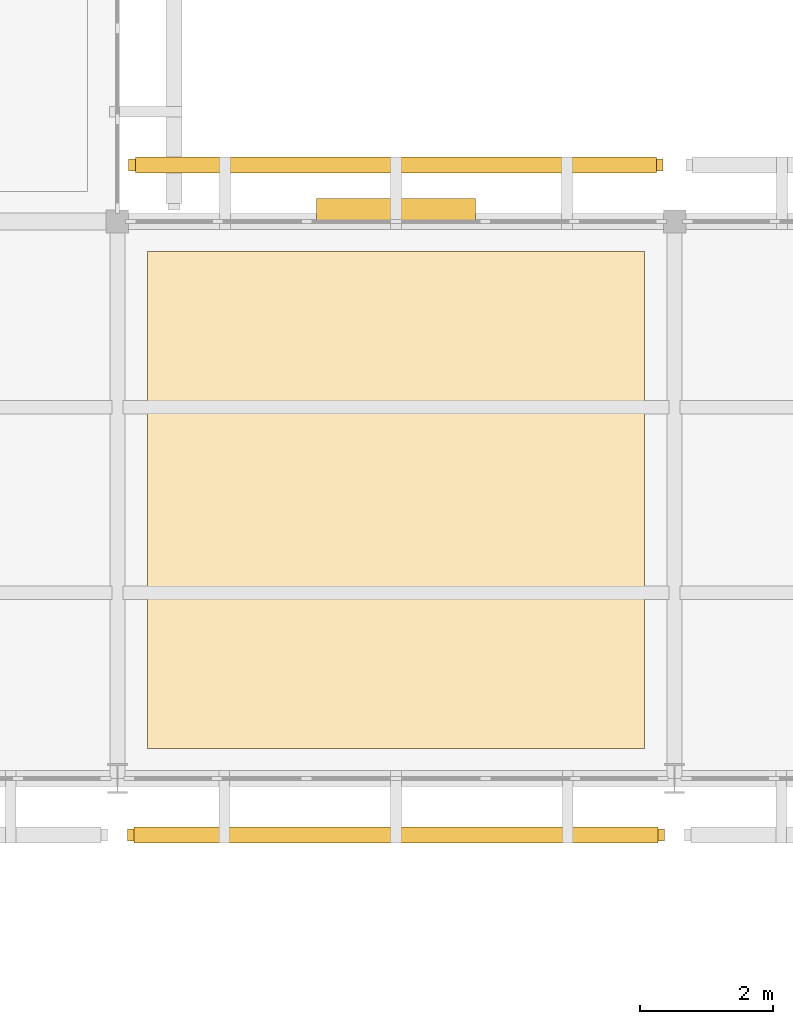
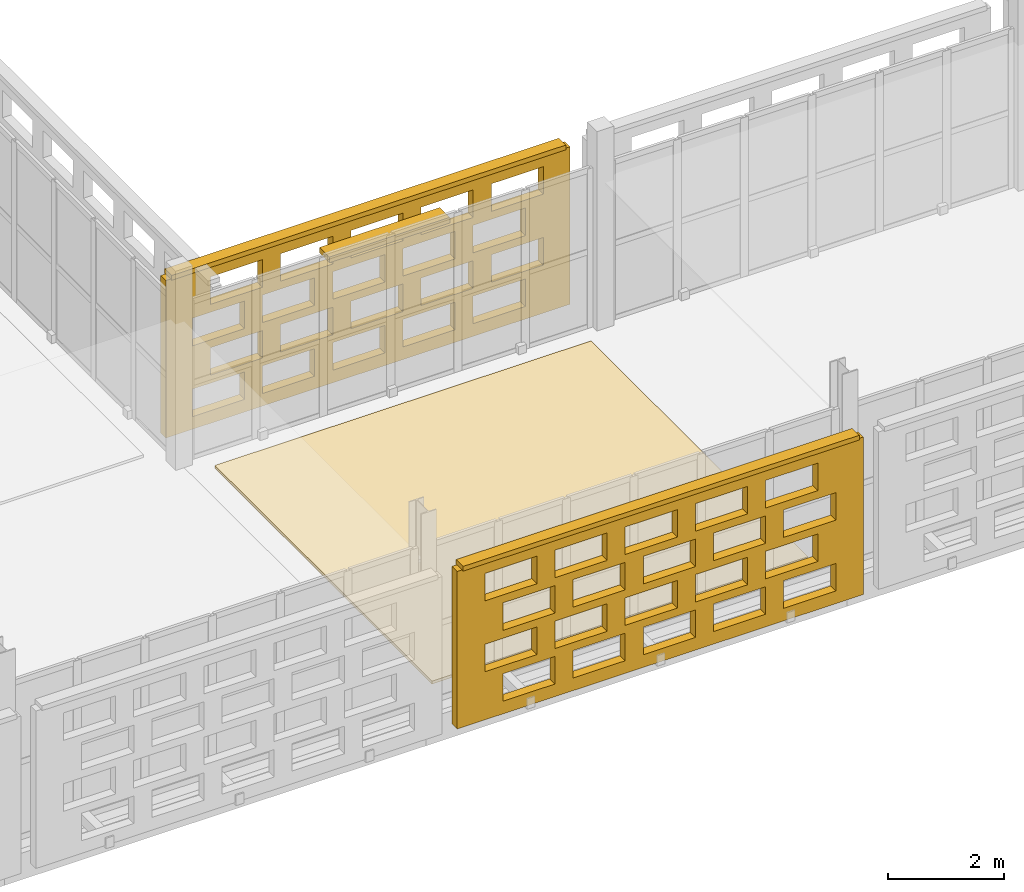
# One storey, part 119 of 140: 3 coverings, 3 shading devices, 40 openings.
"""IFC4 building model written with IfcOpenShell, lengths in metres."""

from ifc_helpers import new_model, si_unit, direction, frame, frame_2d, origin, origin_2d, place, context, subcontext, project, spatial, rectangle, extrude, material, layer, layer_set, type_object, element, save


model = new_model("IFC4")

# Units and contexts
model_context = context("Model", 3, precision=1e-05, world=origin(), true_north=direction((0.0, 1.0)))
body_context = subcontext(model_context, "Body", "Model", "MODEL_VIEW")
ifc_project = project(units=[si_unit("LENGTHUNIT", "METRE"), si_unit("AREAUNIT", "SQUARE_METRE"), si_unit("VOLUMEUNIT", "CUBIC_METRE"), si_unit("PLANEANGLEUNIT", "RADIAN"), si_unit("MASSUNIT", "GRAM", prefix="KILO")], contexts=[model_context])

# Site, building, storey
site_placement = place(None, origin())
site = spatial("IfcSite", under=ifc_project, at=site_placement, CompositionType="ELEMENT")
building_placement = place(site_placement, origin())
building = spatial("IfcBuilding", under=site, at=building_placement, Name="Varnapada Polytechnic", CompositionType="ELEMENT")
storey_placement = place(building_placement, frame((0.0, 0.0, 13.800048828125)))
storey = spatial("IfcBuildingStorey", under=building, at=storey_placement, Name="L03", CompositionType="ELEMENT", Elevation=13.800048828125)

# Covering
ifc_material_1 = material(Name="Anti-Static Raised Laboratory Flooring")
ifc_layer_1 = layer(ifc_material_1, 0.06005859375)
ifc_layer_set_1 = layer_set([ifc_layer_1], Name="Anti-Static Raised Laboratory Flooring")
covering_type_1 = type_object("IfcCoveringType", Name="Floor Finish FLR-02", PredefinedType="FLOORING", material=ifc_layer_set_1)
covering_1_placement = place(storey_placement, frame((71.39990234375, 88.199951171875, 0.0), z_axis=(0.0, 0.0, 1.0), x_axis=(1.0, 0.0, 0.0)))
element("IfcCovering", 1, at=covering_1_placement, inside=storey, type_object=covering_type_1, Name="L03 floor finish panel (9,11)", PredefinedType="FLOORING", context=body_context, shape_type="SweptSolid", body=[
    extrude(rectangle(XDim=7.5, YDim=7.5, at=origin_2d()), origin(), (0.0, 0.0, 1.0), 0.06005859375),
])

# Shading device
ifc_material_2 = material(Name="Anodised aluminium", Category="aluminium")
ifc_layer_2 = layer(ifc_material_2, 0.35009765625)
ifc_layer_set_2 = layer_set([ifc_layer_2], Name="Anodised aluminium")
shading_device_type_1 = type_object("IfcShadingDeviceType", Name="Solar Louvre LVR-01", PredefinedType="JALOUSIE", material=ifc_layer_set_2)
shading_device_1_placement = place(storey_placement, frame((71.39990234375, 92.580078125, 3.159912109375), z_axis=(0.0, 0.0, 1.0), x_axis=(1.0, 0.0, 0.0)))
element("IfcShadingDevice", 2, at=shading_device_1_placement, inside=storey, type_object=shading_device_type_1, Name="L03 aluminium sun louvre 55", PredefinedType="JALOUSIE", context=body_context, shape_type="SweptSolid", body=[
    extrude(rectangle(XDim=2.39990234375, YDim=0.340087890625, at=origin_2d()), origin(), (0.0, 0.0, 1.0), 0.1201171875),
])

# Covering, openings
ifc_material_3 = material(Name="Earth-toned architectural terracotta screen block", Category="masonry")
ifc_layer_3 = layer(ifc_material_3, 0.1201171875)
ifc_layer_set_3 = layer_set([ifc_layer_3], Name="Earth-toned architectural terracotta screen block")
covering_type_2 = type_object("IfcCoveringType", Name="Terracotta Screen Cladding CLD-01", PredefinedType="CLADDING", material=ifc_layer_set_3)
covering_2_placement = place(storey_placement, frame((75.449951171875, 83.14990234375, 0.0), z_axis=(0.0, 0.0, 1.0), x_axis=(-1.0, 0.0, 0.0)))
covering_2 = element("IfcCovering", 3, at=covering_2_placement, inside=storey, type_object=covering_type_2, Name="L03 perforated terracotta block screen (54)", PredefinedType="CLADDING", context=body_context, shape_type="SweptSolid", body=[
    extrude(rectangle(XDim=8.099853515625, YDim=0.179931640625, at=frame_2d((4.0498046875, 0.0))), origin(), (0.0, 0.0, 1.0), 3.320068359375),
])
opening_1_placement = place(covering_2_placement, frame((0.550048828125, 0.0, 0.265625)))
element("IfcOpeningElement", 4, at=opening_1_placement, cuts=covering_2, Name="Screen perforation TBS-L03-053.1", PredefinedType="OPENING", context=body_context, shape_type="SweptSolid", body=[
    extrude(rectangle(XDim=1.0400390625, YDim=0.5810546875, at=frame_2d((0.52001953125, 0.29052734375))), frame((0.0, 0.099853515625, 0.0), z_axis=(0.0, -1.0, 0.0), x_axis=(1.0, 0.0, 0.0)), (0.0, 0.0, 1.0), 0.199951171875),
])
opening_2_placement = place(covering_2_placement, frame((1.949951171875, 0.0, 0.265625)))
element("IfcOpeningElement", 5, at=opening_2_placement, cuts=covering_2, Name="Screen perforation TBS-L03-053.2", PredefinedType="OPENING", context=body_context, shape_type="SweptSolid", body=[
    extrude(rectangle(XDim=1.0400390625, YDim=0.5810546875, at=frame_2d((0.52001953125, 0.29052734375))), frame((0.0, 0.099853515625, 0.0), z_axis=(0.0, -1.0, 0.0), x_axis=(1.0, 0.0, 0.0)), (0.0, 0.0, 1.0), 0.199951171875),
])
opening_3_placement = place(covering_2_placement, frame((3.35009765625, 0.0, 0.265625)))
element("IfcOpeningElement", 6, at=opening_3_placement, cuts=covering_2, Name="Screen perforation TBS-L03-053.3", PredefinedType="OPENING", context=body_context, shape_type="SweptSolid", body=[
    extrude(rectangle(XDim=1.0400390625, YDim=0.5810546875, at=frame_2d((0.52001953125, 0.29052734375))), frame((0.0, 0.099853515625, 0.0), z_axis=(0.0, -1.0, 0.0), x_axis=(1.0, 0.0, 0.0)), (0.0, 0.0, 1.0), 0.199951171875),
])
opening_4_placement = place(covering_2_placement, frame((4.75, 0.0, 0.265625)))
element("IfcOpeningElement", 7, at=opening_4_placement, cuts=covering_2, Name="Screen perforation TBS-L03-053.4", PredefinedType="OPENING", context=body_context, shape_type="SweptSolid", body=[
    extrude(rectangle(XDim=1.0400390625, YDim=0.5810546875, at=frame_2d((0.52001953125, 0.29052734375))), frame((0.0, 0.099853515625, 0.0), z_axis=(0.0, -1.0, 0.0), x_axis=(1.0, 0.0, 0.0)), (0.0, 0.0, 1.0), 0.199951171875),
])
opening_5_placement = place(covering_2_placement, frame((6.14990234375, 0.0, 0.265625)))
element("IfcOpeningElement", 8, at=opening_5_placement, cuts=covering_2, Name="Screen perforation TBS-L03-053.5", PredefinedType="OPENING", context=body_context, shape_type="SweptSolid", body=[
    extrude(rectangle(XDim=1.0400390625, YDim=0.5810546875, at=frame_2d((0.52001953125, 0.29052734375))), frame((0.0, 0.099853515625, 0.0), z_axis=(0.0, -1.0, 0.0), x_axis=(1.0, 0.0, 0.0)), (0.0, 0.0, 1.0), 0.199951171875),
])
opening_6_placement = place(covering_2_placement, frame((0.909912109375, 0.0, 1.0126953125)))
element("IfcOpeningElement", 9, at=opening_6_placement, cuts=covering_2, Name="Screen perforation TBS-L03-053.6", PredefinedType="OPENING", context=body_context, shape_type="SweptSolid", body=[
    extrude(rectangle(XDim=1.0400390625, YDim=0.5810546875, at=frame_2d((0.52001953125, 0.29052734375))), frame((0.0, 0.099853515625, 0.0), z_axis=(0.0, -1.0, 0.0), x_axis=(1.0, 0.0, 0.0)), (0.0, 0.0, 1.0), 0.199951171875),
])
opening_7_placement = place(covering_2_placement, frame((2.31005859375, 0.0, 1.0126953125)))
element("IfcOpeningElement", 10, at=opening_7_placement, cuts=covering_2, Name="Screen perforation TBS-L03-053.7", PredefinedType="OPENING", context=body_context, shape_type="SweptSolid", body=[
    extrude(rectangle(XDim=1.0400390625, YDim=0.5810546875, at=frame_2d((0.52001953125, 0.29052734375))), frame((0.0, 0.099853515625, 0.0), z_axis=(0.0, -1.0, 0.0), x_axis=(1.0, 0.0, 0.0)), (0.0, 0.0, 1.0), 0.199951171875),
])
opening_8_placement = place(covering_2_placement, frame((3.7099609375, 0.0, 1.0126953125)))
element("IfcOpeningElement", 11, at=opening_8_placement, cuts=covering_2, Name="Screen perforation TBS-L03-053.8", PredefinedType="OPENING", context=body_context, shape_type="SweptSolid", body=[
    extrude(rectangle(XDim=1.0400390625, YDim=0.5810546875, at=frame_2d((0.52001953125, 0.29052734375))), frame((0.0, 0.099853515625, 0.0), z_axis=(0.0, -1.0, 0.0), x_axis=(1.0, 0.0, 0.0)), (0.0, 0.0, 1.0), 0.199951171875),
])
opening_9_placement = place(covering_2_placement, frame((5.110107421875, 0.0, 1.0126953125)))
element("IfcOpeningElement", 12, at=opening_9_placement, cuts=covering_2, Name="Screen perforation TBS-L03-053.9", PredefinedType="OPENING", context=body_context, shape_type="SweptSolid", body=[
    extrude(rectangle(XDim=1.0400390625, YDim=0.5810546875, at=frame_2d((0.52001953125, 0.29052734375))), frame((0.0, 0.099853515625, 0.0), z_axis=(0.0, -1.0, 0.0), x_axis=(1.0, 0.0, 0.0)), (0.0, 0.0, 1.0), 0.199951171875),
])
opening_10_placement = place(covering_2_placement, frame((6.510009765625, 0.0, 1.0126953125)))
element("IfcOpeningElement", 13, at=opening_10_placement, cuts=covering_2, Name="Screen perforation TBS-L03-053.10", PredefinedType="OPENING", context=body_context, shape_type="SweptSolid", body=[
    extrude(rectangle(XDim=1.0400390625, YDim=0.5810546875, at=frame_2d((0.52001953125, 0.29052734375))), frame((0.0, 0.099853515625, 0.0), z_axis=(0.0, -1.0, 0.0), x_axis=(1.0, 0.0, 0.0)), (0.0, 0.0, 1.0), 0.199951171875),
])
opening_11_placement = place(covering_2_placement, frame((0.550048828125, 0.0, 1.759521484375)))
element("IfcOpeningElement", 14, at=opening_11_placement, cuts=covering_2, Name="Screen perforation TBS-L03-053.11", PredefinedType="OPENING", context=body_context, shape_type="SweptSolid", body=[
    extrude(rectangle(XDim=1.0400390625, YDim=0.5810546875, at=frame_2d((0.52001953125, 0.29052734375))), frame((0.0, 0.099853515625, 0.0), z_axis=(0.0, -1.0, 0.0), x_axis=(1.0, 0.0, 0.0)), (0.0, 0.0, 1.0), 0.199951171875),
])
opening_12_placement = place(covering_2_placement, frame((1.949951171875, 0.0, 1.759521484375)))
element("IfcOpeningElement", 15, at=opening_12_placement, cuts=covering_2, Name="Screen perforation TBS-L03-053.12", PredefinedType="OPENING", context=body_context, shape_type="SweptSolid", body=[
    extrude(rectangle(XDim=1.0400390625, YDim=0.5810546875, at=frame_2d((0.52001953125, 0.29052734375))), frame((0.0, 0.099853515625, 0.0), z_axis=(0.0, -1.0, 0.0), x_axis=(1.0, 0.0, 0.0)), (0.0, 0.0, 1.0), 0.199951171875),
])
opening_13_placement = place(covering_2_placement, frame((3.35009765625, 0.0, 1.759521484375)))
element("IfcOpeningElement", 16, at=opening_13_placement, cuts=covering_2, Name="Screen perforation TBS-L03-053.13", PredefinedType="OPENING", context=body_context, shape_type="SweptSolid", body=[
    extrude(rectangle(XDim=1.0400390625, YDim=0.5810546875, at=frame_2d((0.52001953125, 0.29052734375))), frame((0.0, 0.099853515625, 0.0), z_axis=(0.0, -1.0, 0.0), x_axis=(1.0, 0.0, 0.0)), (0.0, 0.0, 1.0), 0.199951171875),
])
opening_14_placement = place(covering_2_placement, frame((4.75, 0.0, 1.759521484375)))
element("IfcOpeningElement", 17, at=opening_14_placement, cuts=covering_2, Name="Screen perforation TBS-L03-053.14", PredefinedType="OPENING", context=body_context, shape_type="SweptSolid", body=[
    extrude(rectangle(XDim=1.0400390625, YDim=0.5810546875, at=frame_2d((0.52001953125, 0.29052734375))), frame((0.0, 0.099853515625, 0.0), z_axis=(0.0, -1.0, 0.0), x_axis=(1.0, 0.0, 0.0)), (0.0, 0.0, 1.0), 0.199951171875),
])
opening_15_placement = place(covering_2_placement, frame((6.14990234375, 0.0, 1.759521484375)))
element("IfcOpeningElement", 18, at=opening_15_placement, cuts=covering_2, Name="Screen perforation TBS-L03-053.15", PredefinedType="OPENING", context=body_context, shape_type="SweptSolid", body=[
    extrude(rectangle(XDim=1.0400390625, YDim=0.5810546875, at=frame_2d((0.52001953125, 0.29052734375))), frame((0.0, 0.099853515625, 0.0), z_axis=(0.0, -1.0, 0.0), x_axis=(1.0, 0.0, 0.0)), (0.0, 0.0, 1.0), 0.199951171875),
])
opening_16_placement = place(covering_2_placement, frame((0.909912109375, 0.0, 2.506591796875)))
element("IfcOpeningElement", 19, at=opening_16_placement, cuts=covering_2, Name="Screen perforation TBS-L03-053.16", PredefinedType="OPENING", context=body_context, shape_type="SweptSolid", body=[
    extrude(rectangle(XDim=1.0400390625, YDim=0.5810546875, at=frame_2d((0.52001953125, 0.29052734375))), frame((0.0, 0.099853515625, 0.0), z_axis=(0.0, -1.0, 0.0), x_axis=(1.0, 0.0, 0.0)), (0.0, 0.0, 1.0), 0.199951171875),
])
opening_17_placement = place(covering_2_placement, frame((2.31005859375, 0.0, 2.506591796875)))
element("IfcOpeningElement", 20, at=opening_17_placement, cuts=covering_2, Name="Screen perforation TBS-L03-053.17", PredefinedType="OPENING", context=body_context, shape_type="SweptSolid", body=[
    extrude(rectangle(XDim=1.0400390625, YDim=0.5810546875, at=frame_2d((0.52001953125, 0.29052734375))), frame((0.0, 0.099853515625, 0.0), z_axis=(0.0, -1.0, 0.0), x_axis=(1.0, 0.0, 0.0)), (0.0, 0.0, 1.0), 0.199951171875),
])
opening_18_placement = place(covering_2_placement, frame((3.7099609375, 0.0, 2.506591796875)))
element("IfcOpeningElement", 21, at=opening_18_placement, cuts=covering_2, Name="Screen perforation TBS-L03-053.18", PredefinedType="OPENING", context=body_context, shape_type="SweptSolid", body=[
    extrude(rectangle(XDim=1.0400390625, YDim=0.5810546875, at=frame_2d((0.52001953125, 0.29052734375))), frame((0.0, 0.099853515625, 0.0), z_axis=(0.0, -1.0, 0.0), x_axis=(1.0, 0.0, 0.0)), (0.0, 0.0, 1.0), 0.199951171875),
])
opening_19_placement = place(covering_2_placement, frame((5.110107421875, 0.0, 2.506591796875)))
element("IfcOpeningElement", 22, at=opening_19_placement, cuts=covering_2, Name="Screen perforation TBS-L03-053.19", PredefinedType="OPENING", context=body_context, shape_type="SweptSolid", body=[
    extrude(rectangle(XDim=1.0400390625, YDim=0.5810546875, at=frame_2d((0.52001953125, 0.29052734375))), frame((0.0, 0.099853515625, 0.0), z_axis=(0.0, -1.0, 0.0), x_axis=(1.0, 0.0, 0.0)), (0.0, 0.0, 1.0), 0.199951171875),
])
opening_20_placement = place(covering_2_placement, frame((6.510009765625, 0.0, 2.506591796875)))
element("IfcOpeningElement", 23, at=opening_20_placement, cuts=covering_2, Name="Screen perforation TBS-L03-053.20", PredefinedType="OPENING", context=body_context, shape_type="SweptSolid", body=[
    extrude(rectangle(XDim=1.0400390625, YDim=0.5810546875, at=frame_2d((0.52001953125, 0.29052734375))), frame((0.0, 0.099853515625, 0.0), z_axis=(0.0, -1.0, 0.0), x_axis=(1.0, 0.0, 0.0)), (0.0, 0.0, 1.0), 0.199951171875),
])

covering_3_placement = place(storey_placement, frame((67.3701171875, 93.25, 0.0), z_axis=(0.0, 0.0, 1.0), x_axis=(1.0, 0.0, 0.0)))
covering_3 = element("IfcCovering", 24, at=covering_3_placement, inside=storey, type_object=covering_type_2, Name="L03 perforated terracotta block screen (55)", PredefinedType="CLADDING", context=body_context, shape_type="SweptSolid", body=[
    extrude(rectangle(XDim=8.059814453125, YDim=0.179931640625, at=frame_2d((4.02978515625, 0.0))), origin(), (0.0, 0.0, 1.0), 3.320068359375),
])
opening_21_placement = place(covering_3_placement, frame((0.530029296875, 0.0, 0.265625)))
element("IfcOpeningElement", 25, at=opening_21_placement, cuts=covering_3, Name="Screen perforation TBS-L03-054.1", PredefinedType="OPENING", context=body_context, shape_type="SweptSolid", body=[
    extrude(rectangle(XDim=1.0400390625, YDim=0.5810546875, at=frame_2d((0.52001953125, 0.29052734375))), frame((0.0, 0.099853515625, 0.0), z_axis=(0.0, -1.0, 0.0), x_axis=(1.0, 0.0, 0.0)), (0.0, 0.0, 1.0), 0.199951171875),
])
opening_22_placement = place(covering_3_placement, frame((1.929931640625, 0.0, 0.265625)))
element("IfcOpeningElement", 26, at=opening_22_placement, cuts=covering_3, Name="Screen perforation TBS-L03-054.2", PredefinedType="OPENING", context=body_context, shape_type="SweptSolid", body=[
    extrude(rectangle(XDim=1.0400390625, YDim=0.5810546875, at=frame_2d((0.52001953125, 0.29052734375))), frame((0.0, 0.099853515625, 0.0), z_axis=(0.0, -1.0, 0.0), x_axis=(1.0, 0.0, 0.0)), (0.0, 0.0, 1.0), 0.199951171875),
])
opening_23_placement = place(covering_3_placement, frame((3.330078125, 0.0, 0.265625)))
element("IfcOpeningElement", 27, at=opening_23_placement, cuts=covering_3, Name="Screen perforation TBS-L03-054.3", PredefinedType="OPENING", context=body_context, shape_type="SweptSolid", body=[
    extrude(rectangle(XDim=1.0400390625, YDim=0.5810546875, at=frame_2d((0.52001953125, 0.29052734375))), frame((0.0, 0.099853515625, 0.0), z_axis=(0.0, -1.0, 0.0), x_axis=(1.0, 0.0, 0.0)), (0.0, 0.0, 1.0), 0.199951171875),
])
opening_24_placement = place(covering_3_placement, frame((4.72998046875, 0.0, 0.265625)))
element("IfcOpeningElement", 28, at=opening_24_placement, cuts=covering_3, Name="Screen perforation TBS-L03-054.4", PredefinedType="OPENING", context=body_context, shape_type="SweptSolid", body=[
    extrude(rectangle(XDim=1.0400390625, YDim=0.5810546875, at=frame_2d((0.52001953125, 0.29052734375))), frame((0.0, 0.099853515625, 0.0), z_axis=(0.0, -1.0, 0.0), x_axis=(1.0, 0.0, 0.0)), (0.0, 0.0, 1.0), 0.199951171875),
])
opening_25_placement = place(covering_3_placement, frame((6.1298828125, 0.0, 0.265625)))
element("IfcOpeningElement", 29, at=opening_25_placement, cuts=covering_3, Name="Screen perforation TBS-L03-054.5", PredefinedType="OPENING", context=body_context, shape_type="SweptSolid", body=[
    extrude(rectangle(XDim=1.0400390625, YDim=0.5810546875, at=frame_2d((0.52001953125, 0.29052734375))), frame((0.0, 0.099853515625, 0.0), z_axis=(0.0, -1.0, 0.0), x_axis=(1.0, 0.0, 0.0)), (0.0, 0.0, 1.0), 0.199951171875),
])
opening_26_placement = place(covering_3_placement, frame((0.889892578125, 0.0, 1.0126953125)))
element("IfcOpeningElement", 30, at=opening_26_placement, cuts=covering_3, Name="Screen perforation TBS-L03-054.6", PredefinedType="OPENING", context=body_context, shape_type="SweptSolid", body=[
    extrude(rectangle(XDim=1.0400390625, YDim=0.5810546875, at=frame_2d((0.52001953125, 0.29052734375))), frame((0.0, 0.099853515625, 0.0), z_axis=(0.0, -1.0, 0.0), x_axis=(1.0, 0.0, 0.0)), (0.0, 0.0, 1.0), 0.199951171875),
])
opening_27_placement = place(covering_3_placement, frame((2.2900390625, 0.0, 1.0126953125)))
element("IfcOpeningElement", 31, at=opening_27_placement, cuts=covering_3, Name="Screen perforation TBS-L03-054.7", PredefinedType="OPENING", context=body_context, shape_type="SweptSolid", body=[
    extrude(rectangle(XDim=1.0400390625, YDim=0.5810546875, at=frame_2d((0.52001953125, 0.29052734375))), frame((0.0, 0.099853515625, 0.0), z_axis=(0.0, -1.0, 0.0), x_axis=(1.0, 0.0, 0.0)), (0.0, 0.0, 1.0), 0.199951171875),
])
opening_28_placement = place(covering_3_placement, frame((3.68994140625, 0.0, 1.0126953125)))
element("IfcOpeningElement", 32, at=opening_28_placement, cuts=covering_3, Name="Screen perforation TBS-L03-054.8", PredefinedType="OPENING", context=body_context, shape_type="SweptSolid", body=[
    extrude(rectangle(XDim=1.0400390625, YDim=0.5810546875, at=frame_2d((0.52001953125, 0.29052734375))), frame((0.0, 0.099853515625, 0.0), z_axis=(0.0, -1.0, 0.0), x_axis=(1.0, 0.0, 0.0)), (0.0, 0.0, 1.0), 0.199951171875),
])
opening_29_placement = place(covering_3_placement, frame((5.090087890625, 0.0, 1.0126953125)))
element("IfcOpeningElement", 33, at=opening_29_placement, cuts=covering_3, Name="Screen perforation TBS-L03-054.9", PredefinedType="OPENING", context=body_context, shape_type="SweptSolid", body=[
    extrude(rectangle(XDim=1.0400390625, YDim=0.5810546875, at=frame_2d((0.52001953125, 0.29052734375))), frame((0.0, 0.099853515625, 0.0), z_axis=(0.0, -1.0, 0.0), x_axis=(1.0, 0.0, 0.0)), (0.0, 0.0, 1.0), 0.199951171875),
])
opening_30_placement = place(covering_3_placement, frame((6.489990234375, 0.0, 1.0126953125)))
element("IfcOpeningElement", 34, at=opening_30_placement, cuts=covering_3, Name="Screen perforation TBS-L03-054.10", PredefinedType="OPENING", context=body_context, shape_type="SweptSolid", body=[
    extrude(rectangle(XDim=1.0400390625, YDim=0.5810546875, at=frame_2d((0.52001953125, 0.29052734375))), frame((0.0, 0.099853515625, 0.0), z_axis=(0.0, -1.0, 0.0), x_axis=(1.0, 0.0, 0.0)), (0.0, 0.0, 1.0), 0.199951171875),
])
opening_31_placement = place(covering_3_placement, frame((0.530029296875, 0.0, 1.759521484375)))
element("IfcOpeningElement", 35, at=opening_31_placement, cuts=covering_3, Name="Screen perforation TBS-L03-054.11", PredefinedType="OPENING", context=body_context, shape_type="SweptSolid", body=[
    extrude(rectangle(XDim=1.0400390625, YDim=0.5810546875, at=frame_2d((0.52001953125, 0.29052734375))), frame((0.0, 0.099853515625, 0.0), z_axis=(0.0, -1.0, 0.0), x_axis=(1.0, 0.0, 0.0)), (0.0, 0.0, 1.0), 0.199951171875),
])
opening_32_placement = place(covering_3_placement, frame((1.929931640625, 0.0, 1.759521484375)))
element("IfcOpeningElement", 36, at=opening_32_placement, cuts=covering_3, Name="Screen perforation TBS-L03-054.12", PredefinedType="OPENING", context=body_context, shape_type="SweptSolid", body=[
    extrude(rectangle(XDim=1.0400390625, YDim=0.5810546875, at=frame_2d((0.52001953125, 0.29052734375))), frame((0.0, 0.099853515625, 0.0), z_axis=(0.0, -1.0, 0.0), x_axis=(1.0, 0.0, 0.0)), (0.0, 0.0, 1.0), 0.199951171875),
])
opening_33_placement = place(covering_3_placement, frame((3.330078125, 0.0, 1.759521484375)))
element("IfcOpeningElement", 37, at=opening_33_placement, cuts=covering_3, Name="Screen perforation TBS-L03-054.13", PredefinedType="OPENING", context=body_context, shape_type="SweptSolid", body=[
    extrude(rectangle(XDim=1.0400390625, YDim=0.5810546875, at=frame_2d((0.52001953125, 0.29052734375))), frame((0.0, 0.099853515625, 0.0), z_axis=(0.0, -1.0, 0.0), x_axis=(1.0, 0.0, 0.0)), (0.0, 0.0, 1.0), 0.199951171875),
])
opening_34_placement = place(covering_3_placement, frame((4.72998046875, 0.0, 1.759521484375)))
element("IfcOpeningElement", 38, at=opening_34_placement, cuts=covering_3, Name="Screen perforation TBS-L03-054.14", PredefinedType="OPENING", context=body_context, shape_type="SweptSolid", body=[
    extrude(rectangle(XDim=1.0400390625, YDim=0.5810546875, at=frame_2d((0.52001953125, 0.29052734375))), frame((0.0, 0.099853515625, 0.0), z_axis=(0.0, -1.0, 0.0), x_axis=(1.0, 0.0, 0.0)), (0.0, 0.0, 1.0), 0.199951171875),
])
opening_35_placement = place(covering_3_placement, frame((6.1298828125, 0.0, 1.759521484375)))
element("IfcOpeningElement", 39, at=opening_35_placement, cuts=covering_3, Name="Screen perforation TBS-L03-054.15", PredefinedType="OPENING", context=body_context, shape_type="SweptSolid", body=[
    extrude(rectangle(XDim=1.0400390625, YDim=0.5810546875, at=frame_2d((0.52001953125, 0.29052734375))), frame((0.0, 0.099853515625, 0.0), z_axis=(0.0, -1.0, 0.0), x_axis=(1.0, 0.0, 0.0)), (0.0, 0.0, 1.0), 0.199951171875),
])
opening_36_placement = place(covering_3_placement, frame((0.889892578125, 0.0, 2.506591796875)))
element("IfcOpeningElement", 40, at=opening_36_placement, cuts=covering_3, Name="Screen perforation TBS-L03-054.16", PredefinedType="OPENING", context=body_context, shape_type="SweptSolid", body=[
    extrude(rectangle(XDim=1.0400390625, YDim=0.5810546875, at=frame_2d((0.52001953125, 0.29052734375))), frame((0.0, 0.099853515625, 0.0), z_axis=(0.0, -1.0, 0.0), x_axis=(1.0, 0.0, 0.0)), (0.0, 0.0, 1.0), 0.199951171875),
])
opening_37_placement = place(covering_3_placement, frame((2.2900390625, 0.0, 2.506591796875)))
element("IfcOpeningElement", 41, at=opening_37_placement, cuts=covering_3, Name="Screen perforation TBS-L03-054.17", PredefinedType="OPENING", context=body_context, shape_type="SweptSolid", body=[
    extrude(rectangle(XDim=1.0400390625, YDim=0.5810546875, at=frame_2d((0.52001953125, 0.29052734375))), frame((0.0, 0.099853515625, 0.0), z_axis=(0.0, -1.0, 0.0), x_axis=(1.0, 0.0, 0.0)), (0.0, 0.0, 1.0), 0.199951171875),
])
opening_38_placement = place(covering_3_placement, frame((3.68994140625, 0.0, 2.506591796875)))
element("IfcOpeningElement", 42, at=opening_38_placement, cuts=covering_3, Name="Screen perforation TBS-L03-054.18", PredefinedType="OPENING", context=body_context, shape_type="SweptSolid", body=[
    extrude(rectangle(XDim=1.0400390625, YDim=0.5810546875, at=frame_2d((0.52001953125, 0.29052734375))), frame((0.0, 0.099853515625, 0.0), z_axis=(0.0, -1.0, 0.0), x_axis=(1.0, 0.0, 0.0)), (0.0, 0.0, 1.0), 0.199951171875),
])
opening_39_placement = place(covering_3_placement, frame((5.090087890625, 0.0, 2.506591796875)))
element("IfcOpeningElement", 43, at=opening_39_placement, cuts=covering_3, Name="Screen perforation TBS-L03-054.19", PredefinedType="OPENING", context=body_context, shape_type="SweptSolid", body=[
    extrude(rectangle(XDim=1.0400390625, YDim=0.5810546875, at=frame_2d((0.52001953125, 0.29052734375))), frame((0.0, 0.099853515625, 0.0), z_axis=(0.0, -1.0, 0.0), x_axis=(1.0, 0.0, 0.0)), (0.0, 0.0, 1.0), 0.199951171875),
])
opening_40_placement = place(covering_3_placement, frame((6.489990234375, 0.0, 2.506591796875)))
element("IfcOpeningElement", 44, at=opening_40_placement, cuts=covering_3, Name="Screen perforation TBS-L03-054.20", PredefinedType="OPENING", context=body_context, shape_type="SweptSolid", body=[
    extrude(rectangle(XDim=1.0400390625, YDim=0.5810546875, at=frame_2d((0.52001953125, 0.29052734375))), frame((0.0, 0.099853515625, 0.0), z_axis=(0.0, -1.0, 0.0), x_axis=(1.0, 0.0, 0.0)), (0.0, 0.0, 1.0), 0.199951171875),
])

# Shading devices
ifc_layer_4 = layer(ifc_material_3, 0.179931640625)
ifc_layer_set_4 = layer_set([ifc_layer_4], Name="Earth-toned architectural terracotta screen block")
shading_device_type_2 = type_object("IfcShadingDeviceType", Name="Terracotta Screen SCR-01", PredefinedType="USERDEFINED", material=ifc_layer_set_4)
shading_device_2_placement = place(storey_placement, frame((71.39990234375, 83.14990234375, 3.309814453125), z_axis=(0.0, 0.0, 1.0), x_axis=(-1.0, 0.0, 0.0)))
element("IfcShadingDevice", 45, at=shading_device_2_placement, inside=storey, type_object=shading_device_type_2, Name="L03 perforated terracotta screen hood 384", ObjectType="SCREEN", PredefinedType="USERDEFINED", context=body_context, shape_type="SweptSolid", body=[
    extrude(rectangle(XDim=7.89990234375, YDim=0.239990234375, at=origin_2d()), origin(), (0.0, 0.0, 1.0), 0.10009765625),
])
shading_device_3_placement = place(storey_placement, frame((71.39990234375, 93.25, 3.309814453125), z_axis=(0.0, 0.0, 1.0), x_axis=(1.0, 0.0, 0.0)))
element("IfcShadingDevice", 46, at=shading_device_3_placement, inside=storey, type_object=shading_device_type_2, Name="L03 perforated terracotta screen hood 385", ObjectType="SCREEN", PredefinedType="USERDEFINED", context=body_context, shape_type="SweptSolid", body=[
    extrude(rectangle(XDim=7.860107421875, YDim=0.239990234375, at=origin_2d()), origin(), (0.0, 0.0, 1.0), 0.10009765625),
])

save(model, "model.ifc")
